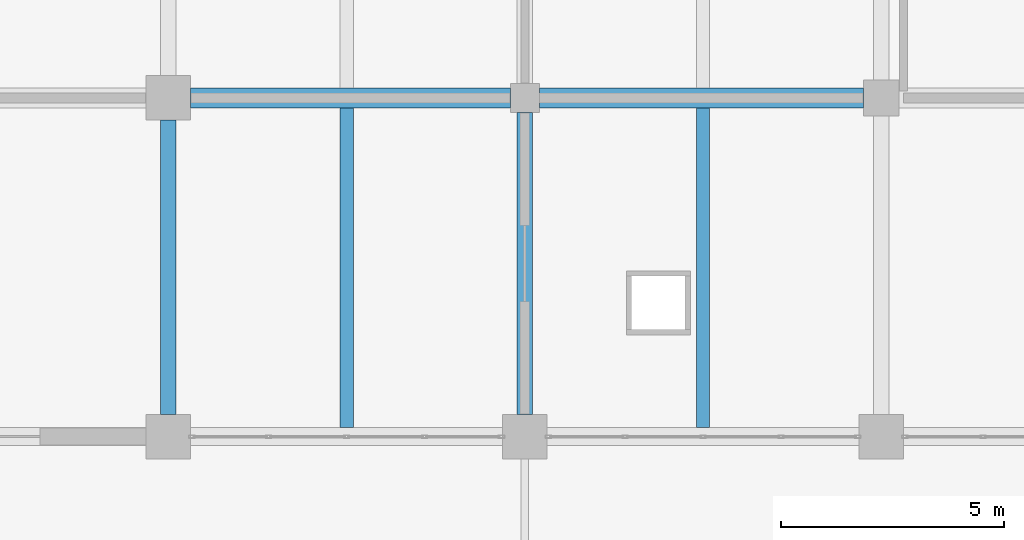
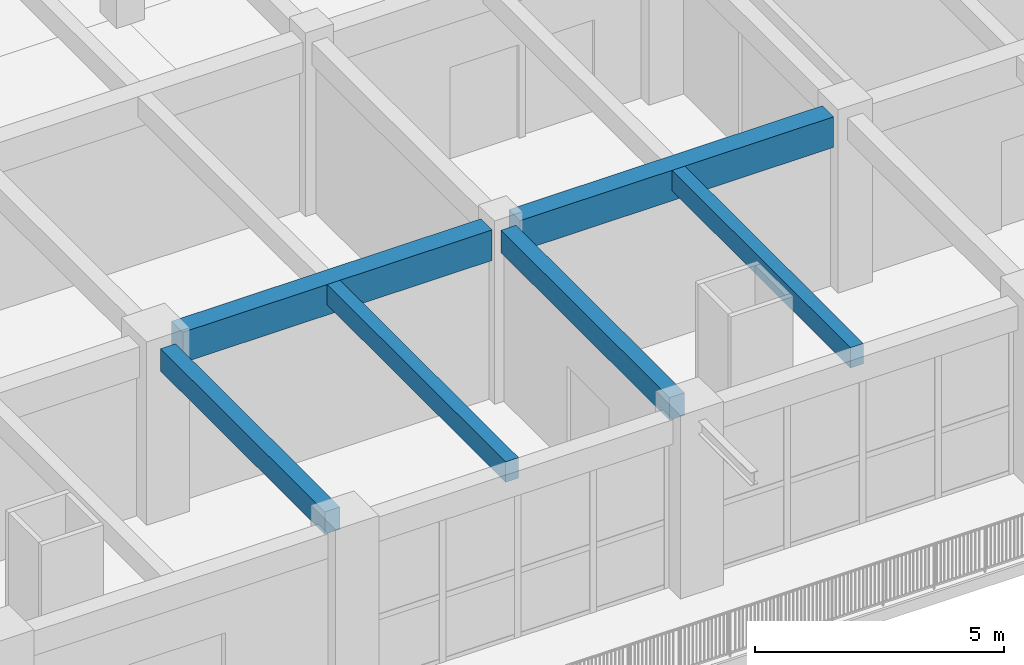
# One storey, part 26 of 79: 6 beams.
"""IFC4 building model written with IfcOpenShell, lengths in metres."""

from ifc_helpers import new_model, si_unit, direction, frame, origin, origin_2d, place, context, subcontext, project, spatial, rectangle, extrude, material, material_profile, profile_set, type_object, element, save


model = new_model("IFC4")

# Units and contexts
model_context = context("Model", 3, precision=1e-05, world=origin(), true_north=direction((0.0, 1.0)))
body_context = subcontext(model_context, "Body", "Model", "MODEL_VIEW")
ifc_project = project(units=[si_unit("LENGTHUNIT", "METRE"), si_unit("AREAUNIT", "SQUARE_METRE"), si_unit("VOLUMEUNIT", "CUBIC_METRE"), si_unit("PLANEANGLEUNIT", "RADIAN"), si_unit("MASSUNIT", "GRAM", prefix="KILO")], contexts=[model_context])

# Site, building, storey
site_placement = place(None, origin())
site = spatial("IfcSite", under=ifc_project, at=site_placement, CompositionType="ELEMENT")
building_placement = place(site_placement, origin())
building = spatial("IfcBuilding", under=site, at=building_placement, Name="Zantavel Square City Hall", CompositionType="ELEMENT")
storey_placement = place(building_placement, frame((0.0, 0.0, 10.199951171875)))
storey = spatial("IfcBuildingStorey", under=building, at=storey_placement, Name="L03", CompositionType="ELEMENT", Elevation=10.199951171875)

# Beams
ifc_material = material(Name="Concrete C35/45", Category="concrete")
ifc_material_profile_1 = material_profile(ifc_material, rectangle(XDim=0.300048828125, YDim=0.5, at=origin_2d()), Name="RC 300x500")
ifc_profile_set_1 = profile_set([ifc_material_profile_1], Name="Concrete C35/45")
beam_type_1 = type_object("IfcBeamType", Name="Floor Joist RC 300x500 C35/45", PredefinedType="JOIST", material=ifc_profile_set_1)
for number, where, z_axis, x_axis, name in (
    (1, (92.0, 30.60009765625, 3.969970703125), (0.0, 1.0, 0.0), (-1.0, 0.0, 0.0), "L03 Floor Joist JST-L03-0920-0304"),
    (2, (100.0, 30.60009765625, 3.969970703125), (0.0, 1.0, 0.0), (-1.0, 0.0, 0.0), "L03 Floor Joist JST-L03-1000-0304"),
):
    element("IfcBeam", number, at=place(storey_placement, frame(where, z_axis=z_axis, x_axis=x_axis)), inside=storey, type_object=beam_type_1, Name=name, PredefinedType="JOIST", context=body_context, shape_type="SweptSolid", body=[
        extrude(rectangle(XDim=0.300048828125, YDim=0.5, at=origin_2d()), origin(), (0.0, 0.0, 1.0), 7.1748046875),
    ])
ifc_material_profile_2 = material_profile(ifc_material, rectangle(XDim=0.449951171875, YDim=0.75, at=origin_2d()), Name="RC 450x750")
ifc_profile_set_2 = profile_set([ifc_material_profile_2], Name="Concrete C35/45")
beam_type_2 = type_object("IfcBeamType", Name="Primary Girder RC 450x750 C35/45", PredefinedType="BEAM", material=ifc_profile_set_2)
beam_1_placement = place(storey_placement, frame((88.5, 38.0, 3.844970703125), z_axis=(1.0, 0.0, 0.0), x_axis=(0.0, 1.0, 0.0)))
element("IfcBeam", 3, at=beam_1_placement, inside=storey, type_object=beam_type_2, Name="L03 Girder BMX-L03-0880-0380", PredefinedType="BEAM", context=body_context, shape_type="SweptSolid", body=[
    extrude(rectangle(XDim=0.449951171875, YDim=0.75, at=origin_2d()), origin(), (0.0, 0.0, 1.0), 7.175048828125),
])
beam_2_placement = place(storey_placement, frame((96.324951171875, 38.0, 3.844970703125), z_axis=(1.0, 0.0, 0.0), x_axis=(0.0, 1.0, 0.0)))
element("IfcBeam", 4, at=beam_2_placement, inside=storey, type_object=beam_type_2, Name="L03 Girder BMX-L03-0960-0380", PredefinedType="BEAM", context=body_context, shape_type="SweptSolid", body=[
    extrude(rectangle(XDim=0.449951171875, YDim=0.75, at=origin_2d()), origin(), (0.0, 0.0, 1.0), 7.275146484375),
])
ifc_material_profile_3 = material_profile(ifc_material, rectangle(XDim=0.35009765625, YDim=0.550048828125, at=origin_2d()), Name="RC 350x550")
ifc_profile_set_3 = profile_set([ifc_material_profile_3], Name="Concrete C35/45")
beam_type_3 = type_object("IfcBeamType", Name="Secondary Beam RC 350x550 C35/45", PredefinedType="BEAM", material=ifc_profile_set_3)
beam_3_placement = place(storey_placement, frame((88.0, 30.89990234375, 3.945068359375), z_axis=(0.0, 1.0, 0.0), x_axis=(-1.0, 0.0, 0.0)))
element("IfcBeam", 5, at=beam_3_placement, inside=storey, type_object=beam_type_3, Name="L03 Beam BMY-L03-0880-0304", PredefinedType="BEAM", context=body_context, shape_type="SweptSolid", body=[
    extrude(rectangle(XDim=0.35009765625, YDim=0.550048828125, at=origin_2d()), origin(), (0.0, 0.0, 1.0), 6.60009765625),
])
beam_4_placement = place(storey_placement, frame((96.0, 30.89990234375, 3.945068359375), z_axis=(0.0, 1.0, 0.0), x_axis=(-1.0, 0.0, 0.0)))
element("IfcBeam", 6, at=beam_4_placement, inside=storey, type_object=beam_type_3, Name="L03 Beam BMY-L03-0960-0304", PredefinedType="BEAM", context=body_context, shape_type="SweptSolid", body=[
    extrude(rectangle(XDim=0.35009765625, YDim=0.550048828125, at=origin_2d()), origin(), (0.0, 0.0, 1.0), 6.775146484375),
])

save(model, "model.ifc")
